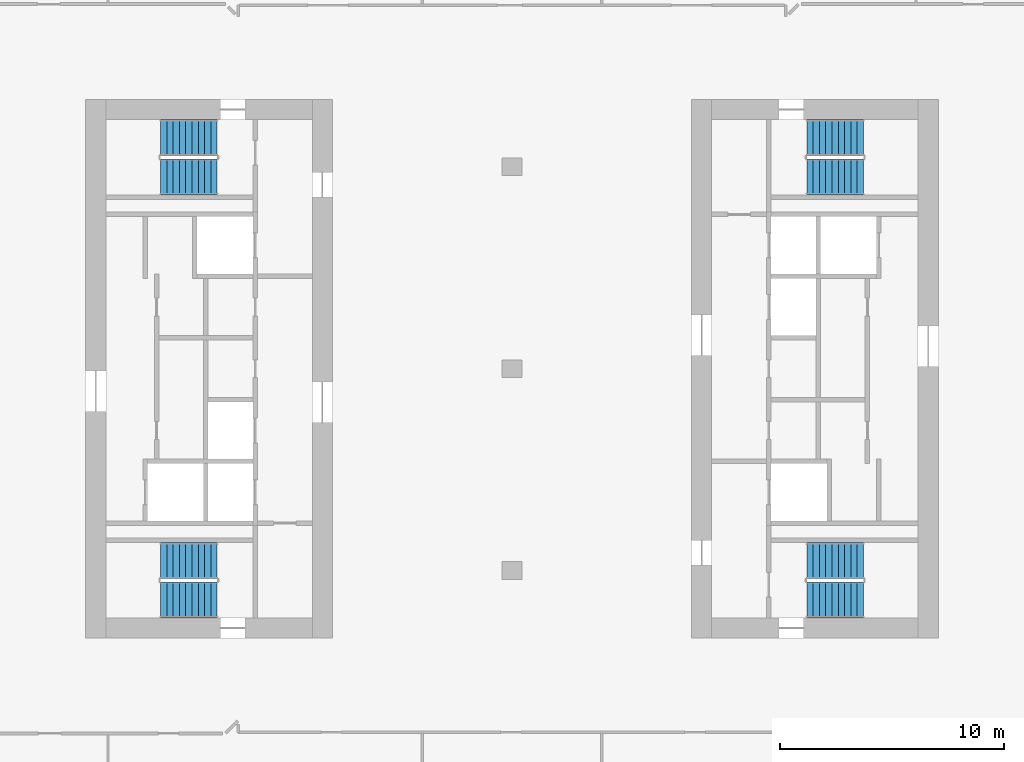
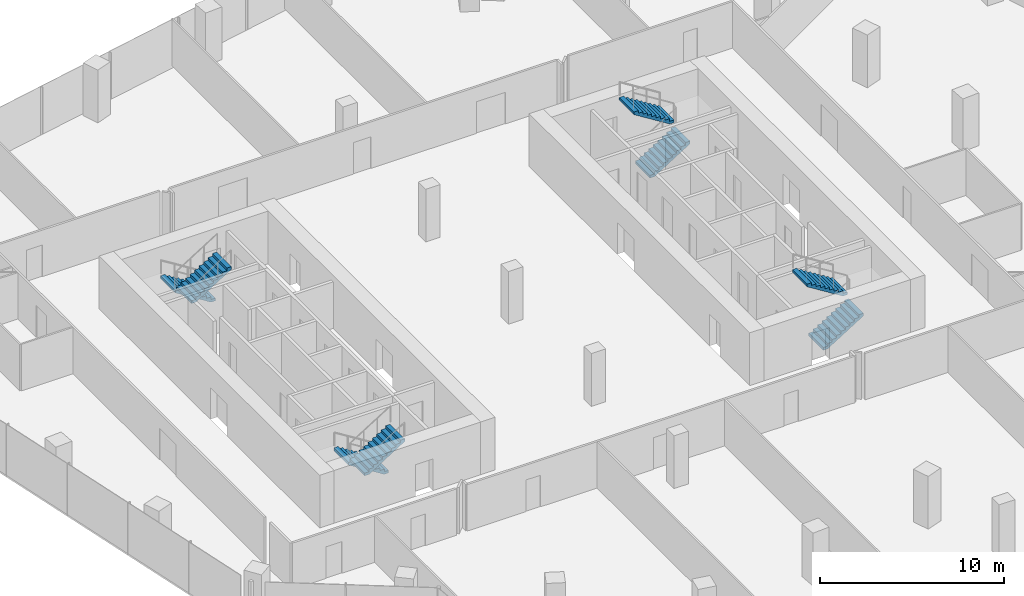
# One storey, part 21 of 24: 8 stair flights, 4 elements without a shape of their own.
"""IFC4 building model written with IfcOpenShell, lengths in metres."""

from ifc_helpers import new_model, si_unit, direction, frame, origin, place, context, subcontext, project, spatial, polyline, outline, extrude, material, type_object, element, aggregate, save


model = new_model("IFC4")

# Units and contexts
model_context = context("Model", 3, precision=1e-05, world=origin(), true_north=direction((0.0, 1.0)))
body_context = subcontext(model_context, "Body", "Model", "MODEL_VIEW")
ifc_project = project(units=[si_unit("LENGTHUNIT", "METRE"), si_unit("AREAUNIT", "SQUARE_METRE"), si_unit("VOLUMEUNIT", "CUBIC_METRE"), si_unit("PLANEANGLEUNIT", "RADIAN"), si_unit("MASSUNIT", "GRAM", prefix="KILO")], contexts=[model_context])

# Site, building, storey
site_placement = place(None, origin())
site = spatial("IfcSite", under=ifc_project, at=site_placement, CompositionType="ELEMENT")
building_placement = place(site_placement, origin())
building = spatial("IfcBuilding", under=site, at=building_placement, Name="Orlundy Tower", CompositionType="ELEMENT")
storey_placement = place(building_placement, frame((0.0, 0.0, 242.5)))
storey = spatial("IfcBuildingStorey", under=building, at=storey_placement, Name="L64", CompositionType="ELEMENT", Elevation=242.5)

# Stair, stair flights
ifc_material_1 = material(Name="Concrete C50/60", Category="concrete")
stair_type = type_object("IfcStairType", Name="Exit Stair 20 risers", PredefinedType="HALF_TURN_STAIR", material=ifc_material_1)
stair_1_placement = place(storey_placement, origin())
stair_1 = element("IfcStair", 1, at=stair_1_placement, inside=storey, type_object=stair_type, Name="L64 Exit Stair ST-W1", PredefinedType="HALF_TURN_STAIR")
ifc_material_2 = material(Name="Concrete C50/60", Category="concrete")
stair_flight_type = type_object("IfcStairFlightType", Name="Stair Flight 10 risers", PredefinedType="STRAIGHT", material=ifc_material_2)
stair_flight_1_placement = place(storey_placement, frame((-13.139892578125, 10.300048828125, 0.0), z_axis=(0.0, 0.0, 1.0), x_axis=(-1.0, 0.0, 0.0)))
stair_flight_1 = element("IfcStairFlight", 2, at=stair_flight_1_placement, type_object=stair_flight_type, Name="ST-W1 flight 1", NumberOfRisers=10, NumberOfTreads=9, PredefinedType="STRAIGHT", RiserHeight=0.175, TreadLength=0.28, context=body_context, shape_type="SweptSolid", body=[
    extrude(outline(polyline([(0.0, 0.0), (0.0, 0.175048828125), (0.280029296875, 0.175048828125), (0.280029296875, 0.35009765625), (0.56005859375, 0.35009765625), (0.56005859375, 0.52490234375), (0.840087890625, 0.52490234375), (0.840087890625, 0.699951171875), (1.1201171875, 0.699951171875), (1.1201171875, 0.875), (1.39990234375, 0.875), (1.39990234375, 1.050048828125), (1.679931640625, 1.050048828125), (1.679931640625, 1.22509765625), (1.9599609375, 1.22509765625), (1.9599609375, 1.39990234375), (2.239990234375, 1.39990234375), (2.239990234375, 1.574951171875), (2.52001953125, 1.574951171875), (2.52001953125, 1.75), (2.52001953125, 1.398193359375), (0.28271484375, 0.0), (0.0, 0.0)])), frame((0.0, 0.800048828125, 0.0), z_axis=(0.0, -1.0, 0.0), x_axis=(1.0, 0.0, 0.0)), (0.0, 0.0, 1.0), 1.60009765625),
])
stair_flight_2_placement = place(storey_placement, frame((-15.659912109375, 8.550048828125, 1.75), z_axis=(0.0, 0.0, 1.0), x_axis=(1.0, 0.0, 0.0)))
stair_flight_2 = element("IfcStairFlight", 3, at=stair_flight_2_placement, type_object=stair_flight_type, Name="ST-W1 flight 2", NumberOfRisers=10, NumberOfTreads=9, PredefinedType="STRAIGHT", RiserHeight=0.175, TreadLength=0.28, context=body_context, shape_type="SweptSolid", body=[
    extrude(outline(polyline([(0.0, 0.0), (0.0, 0.175048828125), (0.280029296875, 0.175048828125), (0.280029296875, 0.35009765625), (0.56005859375, 0.35009765625), (0.56005859375, 0.52490234375), (0.840087890625, 0.52490234375), (0.840087890625, 0.699951171875), (1.1201171875, 0.699951171875), (1.1201171875, 0.875), (1.39990234375, 0.875), (1.39990234375, 1.050048828125), (1.679931640625, 1.050048828125), (1.679931640625, 1.22509765625), (1.9599609375, 1.22509765625), (1.9599609375, 1.39990234375), (2.239990234375, 1.39990234375), (2.239990234375, 1.574951171875), (2.52001953125, 1.574951171875), (2.52001953125, 1.75), (2.52001953125, 1.398193359375), (0.28271484375, 0.0), (0.0, 0.0)])), frame((0.0, 0.800048828125, 0.0), z_axis=(0.0, -1.0, 0.0), x_axis=(1.0, 0.0, 0.0)), (0.0, 0.0, 1.0), 1.60009765625),
])
aggregate(stair_1, [stair_flight_1, stair_flight_2])

stair_2_placement = place(storey_placement, origin())
stair_2 = element("IfcStair", 4, at=stair_2_placement, inside=storey, type_object=stair_type, Name="L64 Exit Stair ST-W2", PredefinedType="HALF_TURN_STAIR")
stair_flight_3_placement = place(storey_placement, frame((-13.139892578125, -8.550048828125, 0.0), z_axis=(0.0, 0.0, 1.0), x_axis=(-1.0, 0.0, 0.0)))
stair_flight_3 = element("IfcStairFlight", 5, at=stair_flight_3_placement, type_object=stair_flight_type, Name="ST-W2 flight 1", NumberOfRisers=10, NumberOfTreads=9, PredefinedType="STRAIGHT", RiserHeight=0.175, TreadLength=0.28, context=body_context, shape_type="SweptSolid", body=[
    extrude(outline(polyline([(0.0, 0.0), (0.0, 0.175048828125), (0.280029296875, 0.175048828125), (0.280029296875, 0.35009765625), (0.56005859375, 0.35009765625), (0.56005859375, 0.52490234375), (0.840087890625, 0.52490234375), (0.840087890625, 0.699951171875), (1.1201171875, 0.699951171875), (1.1201171875, 0.875), (1.39990234375, 0.875), (1.39990234375, 1.050048828125), (1.679931640625, 1.050048828125), (1.679931640625, 1.22509765625), (1.9599609375, 1.22509765625), (1.9599609375, 1.39990234375), (2.239990234375, 1.39990234375), (2.239990234375, 1.574951171875), (2.52001953125, 1.574951171875), (2.52001953125, 1.75), (2.52001953125, 1.398193359375), (0.28271484375, 0.0), (0.0, 0.0)])), frame((0.0, 0.800048828125, 0.0), z_axis=(0.0, -1.0, 0.0), x_axis=(1.0, 0.0, 0.0)), (0.0, 0.0, 1.0), 1.60009765625),
])
stair_flight_4_placement = place(storey_placement, frame((-15.659912109375, -10.300048828125, 1.75), z_axis=(0.0, 0.0, 1.0), x_axis=(1.0, 0.0, 0.0)))
stair_flight_4 = element("IfcStairFlight", 6, at=stair_flight_4_placement, type_object=stair_flight_type, Name="ST-W2 flight 2", NumberOfRisers=10, NumberOfTreads=9, PredefinedType="STRAIGHT", RiserHeight=0.175, TreadLength=0.28, context=body_context, shape_type="SweptSolid", body=[
    extrude(outline(polyline([(0.0, 0.0), (0.0, 0.175048828125), (0.280029296875, 0.175048828125), (0.280029296875, 0.35009765625), (0.56005859375, 0.35009765625), (0.56005859375, 0.52490234375), (0.840087890625, 0.52490234375), (0.840087890625, 0.699951171875), (1.1201171875, 0.699951171875), (1.1201171875, 0.875), (1.39990234375, 0.875), (1.39990234375, 1.050048828125), (1.679931640625, 1.050048828125), (1.679931640625, 1.22509765625), (1.9599609375, 1.22509765625), (1.9599609375, 1.39990234375), (2.239990234375, 1.39990234375), (2.239990234375, 1.574951171875), (2.52001953125, 1.574951171875), (2.52001953125, 1.75), (2.52001953125, 1.398193359375), (0.28271484375, 0.0), (0.0, 0.0)])), frame((0.0, 0.800048828125, 0.0), z_axis=(0.0, -1.0, 0.0), x_axis=(1.0, 0.0, 0.0)), (0.0, 0.0, 1.0), 1.60009765625),
])
aggregate(stair_2, [stair_flight_3, stair_flight_4])

stair_3_placement = place(storey_placement, origin())
stair_3 = element("IfcStair", 7, at=stair_3_placement, inside=storey, type_object=stair_type, Name="L64 Exit Stair ST-E1", PredefinedType="HALF_TURN_STAIR")
stair_flight_5_placement = place(storey_placement, frame((13.139892578125, -10.300048828125, 0.0), z_axis=(0.0, 0.0, 1.0), x_axis=(1.0, 0.0, 0.0)))
stair_flight_5 = element("IfcStairFlight", 8, at=stair_flight_5_placement, type_object=stair_flight_type, Name="ST-E1 flight 1", NumberOfRisers=10, NumberOfTreads=9, PredefinedType="STRAIGHT", RiserHeight=0.175, TreadLength=0.28, context=body_context, shape_type="SweptSolid", body=[
    extrude(outline(polyline([(0.0, 0.0), (0.0, 0.175048828125), (0.280029296875, 0.175048828125), (0.280029296875, 0.35009765625), (0.56005859375, 0.35009765625), (0.56005859375, 0.52490234375), (0.840087890625, 0.52490234375), (0.840087890625, 0.699951171875), (1.1201171875, 0.699951171875), (1.1201171875, 0.875), (1.39990234375, 0.875), (1.39990234375, 1.050048828125), (1.679931640625, 1.050048828125), (1.679931640625, 1.22509765625), (1.9599609375, 1.22509765625), (1.9599609375, 1.39990234375), (2.239990234375, 1.39990234375), (2.239990234375, 1.574951171875), (2.52001953125, 1.574951171875), (2.52001953125, 1.75), (2.52001953125, 1.398193359375), (0.28271484375, 0.0), (0.0, 0.0)])), frame((0.0, 0.800048828125, 0.0), z_axis=(0.0, -1.0, 0.0), x_axis=(1.0, 0.0, 0.0)), (0.0, 0.0, 1.0), 1.60009765625),
])
stair_flight_6_placement = place(storey_placement, frame((15.659912109375, -8.550048828125, 1.75), z_axis=(0.0, 0.0, 1.0), x_axis=(-1.0, 0.0, 0.0)))
stair_flight_6 = element("IfcStairFlight", 9, at=stair_flight_6_placement, type_object=stair_flight_type, Name="ST-E1 flight 2", NumberOfRisers=10, NumberOfTreads=9, PredefinedType="STRAIGHT", RiserHeight=0.175, TreadLength=0.28, context=body_context, shape_type="SweptSolid", body=[
    extrude(outline(polyline([(0.0, 0.0), (0.0, 0.175048828125), (0.280029296875, 0.175048828125), (0.280029296875, 0.35009765625), (0.56005859375, 0.35009765625), (0.56005859375, 0.52490234375), (0.840087890625, 0.52490234375), (0.840087890625, 0.699951171875), (1.1201171875, 0.699951171875), (1.1201171875, 0.875), (1.39990234375, 0.875), (1.39990234375, 1.050048828125), (1.679931640625, 1.050048828125), (1.679931640625, 1.22509765625), (1.9599609375, 1.22509765625), (1.9599609375, 1.39990234375), (2.239990234375, 1.39990234375), (2.239990234375, 1.574951171875), (2.52001953125, 1.574951171875), (2.52001953125, 1.75), (2.52001953125, 1.398193359375), (0.28271484375, 0.0), (0.0, 0.0)])), frame((0.0, 0.800048828125, 0.0), z_axis=(0.0, -1.0, 0.0), x_axis=(1.0, 0.0, 0.0)), (0.0, 0.0, 1.0), 1.60009765625),
])
aggregate(stair_3, [stair_flight_5, stair_flight_6])

stair_4_placement = place(storey_placement, origin())
stair_4 = element("IfcStair", 10, at=stair_4_placement, inside=storey, type_object=stair_type, Name="L64 Exit Stair ST-E2", PredefinedType="HALF_TURN_STAIR")
stair_flight_7_placement = place(storey_placement, frame((13.139892578125, 8.550048828125, 0.0), z_axis=(0.0, 0.0, 1.0), x_axis=(1.0, 0.0, 0.0)))
stair_flight_7 = element("IfcStairFlight", 11, at=stair_flight_7_placement, type_object=stair_flight_type, Name="ST-E2 flight 1", NumberOfRisers=10, NumberOfTreads=9, PredefinedType="STRAIGHT", RiserHeight=0.175, TreadLength=0.28, context=body_context, shape_type="SweptSolid", body=[
    extrude(outline(polyline([(0.0, 0.0), (0.0, 0.175048828125), (0.280029296875, 0.175048828125), (0.280029296875, 0.35009765625), (0.56005859375, 0.35009765625), (0.56005859375, 0.52490234375), (0.840087890625, 0.52490234375), (0.840087890625, 0.699951171875), (1.1201171875, 0.699951171875), (1.1201171875, 0.875), (1.39990234375, 0.875), (1.39990234375, 1.050048828125), (1.679931640625, 1.050048828125), (1.679931640625, 1.22509765625), (1.9599609375, 1.22509765625), (1.9599609375, 1.39990234375), (2.239990234375, 1.39990234375), (2.239990234375, 1.574951171875), (2.52001953125, 1.574951171875), (2.52001953125, 1.75), (2.52001953125, 1.398193359375), (0.28271484375, 0.0), (0.0, 0.0)])), frame((0.0, 0.800048828125, 0.0), z_axis=(0.0, -1.0, 0.0), x_axis=(1.0, 0.0, 0.0)), (0.0, 0.0, 1.0), 1.60009765625),
])
stair_flight_8_placement = place(storey_placement, frame((15.659912109375, 10.300048828125, 1.75), z_axis=(0.0, 0.0, 1.0), x_axis=(-1.0, 0.0, 0.0)))
stair_flight_8 = element("IfcStairFlight", 12, at=stair_flight_8_placement, type_object=stair_flight_type, Name="ST-E2 flight 2", NumberOfRisers=10, NumberOfTreads=9, PredefinedType="STRAIGHT", RiserHeight=0.175, TreadLength=0.28, context=body_context, shape_type="SweptSolid", body=[
    extrude(outline(polyline([(0.0, 0.0), (0.0, 0.175048828125), (0.280029296875, 0.175048828125), (0.280029296875, 0.35009765625), (0.56005859375, 0.35009765625), (0.56005859375, 0.52490234375), (0.840087890625, 0.52490234375), (0.840087890625, 0.699951171875), (1.1201171875, 0.699951171875), (1.1201171875, 0.875), (1.39990234375, 0.875), (1.39990234375, 1.050048828125), (1.679931640625, 1.050048828125), (1.679931640625, 1.22509765625), (1.9599609375, 1.22509765625), (1.9599609375, 1.39990234375), (2.239990234375, 1.39990234375), (2.239990234375, 1.574951171875), (2.52001953125, 1.574951171875), (2.52001953125, 1.75), (2.52001953125, 1.398193359375), (0.28271484375, 0.0), (0.0, 0.0)])), frame((0.0, 0.800048828125, 0.0), z_axis=(0.0, -1.0, 0.0), x_axis=(1.0, 0.0, 0.0)), (0.0, 0.0, 1.0), 1.60009765625),
])
aggregate(stair_4, [stair_flight_7, stair_flight_8])

save(model, "model.ifc")
